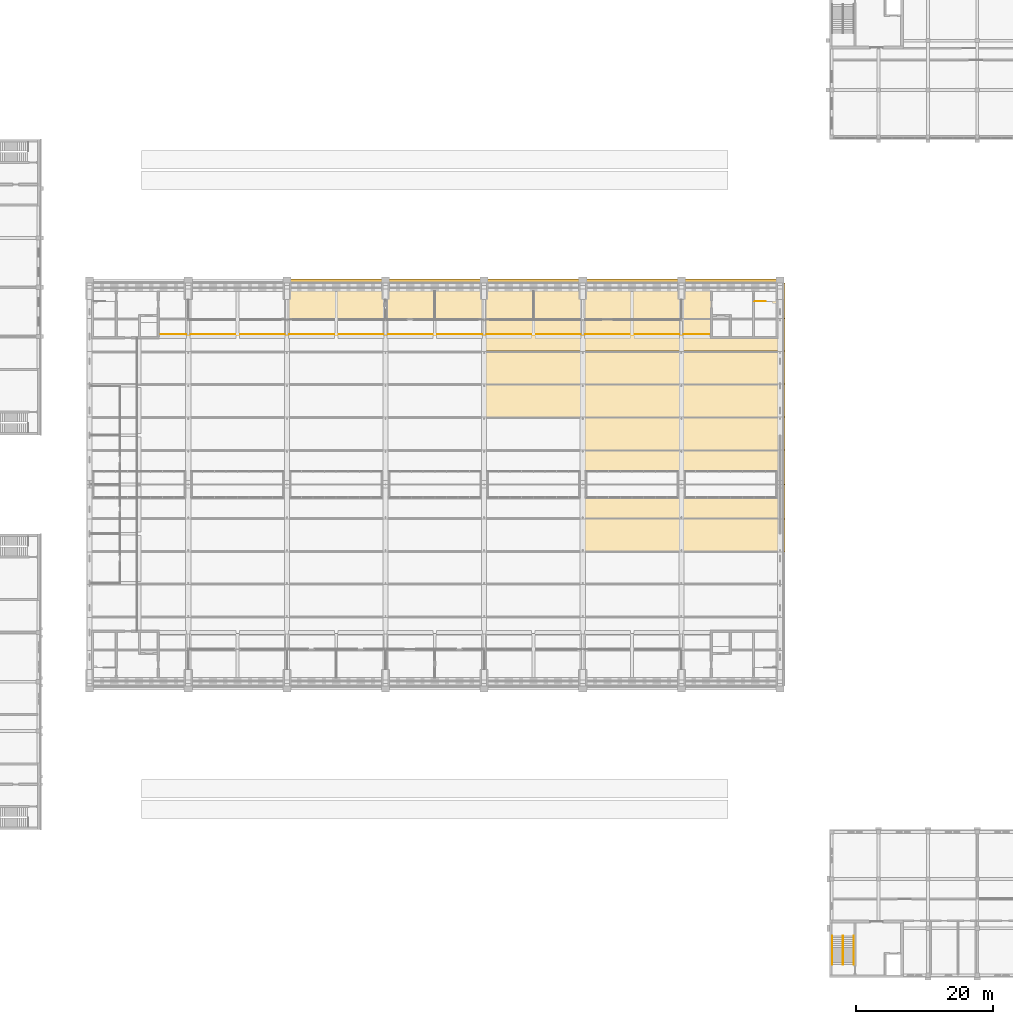
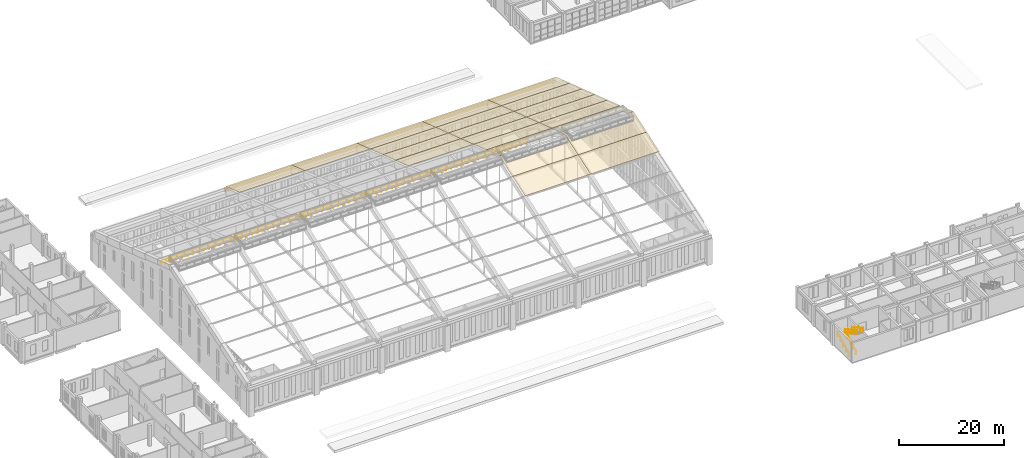
# One storey, part 148 of 149: 27 coverings, 6 railings.
"""IFC4 building model written with IfcOpenShell, lengths in metres."""

from ifc_helpers import new_model, si_unit, direction, frame, frame_2d, origin, origin_2d, place, context, subcontext, project, spatial, polyline, rectangle, circle, outline, extrude, material, layer, layer_set, type_object, element, save


model = new_model("IFC4")

# Units and contexts
model_context = context("Model", 3, precision=1e-05, world=origin(), true_north=direction((0.0, 1.0)))
body_context = subcontext(model_context, "Body", "Model", "MODEL_VIEW")
ifc_project = project(units=[si_unit("LENGTHUNIT", "METRE"), si_unit("AREAUNIT", "SQUARE_METRE"), si_unit("VOLUMEUNIT", "CUBIC_METRE"), si_unit("PLANEANGLEUNIT", "RADIAN"), si_unit("MASSUNIT", "GRAM", prefix="KILO")], contexts=[model_context])

# Site, building, storey
site_placement = place(None, origin())
site = spatial("IfcSite", under=ifc_project, at=site_placement, CompositionType="ELEMENT")
building_placement = place(site_placement, origin())
building = spatial("IfcBuilding", under=site, at=building_placement, Name="Alderwick Market Hall", CompositionType="ELEMENT")
storey_placement = place(building_placement, frame((0.0, 0.0, 9.60009765625)))
storey = spatial("IfcBuildingStorey", under=building, at=storey_placement, Name="L01", CompositionType="ELEMENT", Elevation=9.60009765625)

# Railings
ifc_material_1 = material(Name="Steel ASTM A500 Grade C", Category="steel")
railing_type_1 = type_object("IfcRailingType", Name="C Stair Handrail 900", PredefinedType="HANDRAIL", material=ifc_material_1)
for number, where, name in (
    (1, (158.820068359375, 9.10009765625, 0.14990234375), "C.rail.L01.A.1"),
    (2, (160.3798828125, 9.10009765625, 0.14990234375), "C.rail.L01.A.2"),
):
    element("IfcRailing", number, at=place(storey_placement, frame(where)), inside=storey, type_object=railing_type_1, Name=name, PredefinedType="HANDRAIL", context=body_context, shape_type="SweptSolid", body=[
        extrude(circle(Radius=0.02392578125, at=origin_2d()), frame((0.0, 0.0, 0.8759765625), z_axis=(0.0, 0.881477684796, 0.472225678258), x_axis=(-1.0, 0.0, 0.0)), (0.0, 0.0, 1.0), 4.7646484375),
        extrude(circle(Radius=0.02099609375, at=origin_2d()), origin(), (0.0, 0.0, 1.0), 0.851806640625),
        extrude(circle(Radius=0.02099609375, at=origin_2d()), frame((0.0, 1.050048828125, 0.5625)), (0.0, 0.0, 1.0), 0.851806640625),
        extrude(circle(Radius=0.02099609375, at=origin_2d()), frame((0.0, 2.10009765625, 1.125)), (0.0, 0.0, 1.0), 0.851806640625),
        extrude(circle(Radius=0.02099609375, at=origin_2d()), frame((0.0, 3.14990234375, 1.6875)), (0.0, 0.0, 1.0), 0.851806640625),
        extrude(circle(Radius=0.02099609375, at=origin_2d()), frame((0.0, 4.199951171875, 2.25)), (0.0, 0.0, 1.0), 0.851806640625),
    ])
for number, where, name in (
    (3, (160.419921875, 13.300048828125, 2.5498046875), "C.rail.L01.A.3"),
    (4, (161.97998046875, 13.300048828125, 2.5498046875), "C.rail.L01.A.4"),
):
    element("IfcRailing", number, at=place(storey_placement, frame(where)), inside=storey, type_object=railing_type_1, Name=name, PredefinedType="HANDRAIL", context=body_context, shape_type="SweptSolid", body=[
        extrude(circle(Radius=0.02392578125, at=origin_2d()), frame((0.0, 0.0, 0.8759765625), z_axis=(0.0, -0.881477684796, 0.472225678258), x_axis=(1.0, 0.0, 0.0)), (0.0, 0.0, 1.0), 4.7646484375),
        extrude(circle(Radius=0.02099609375, at=origin_2d()), origin(), (0.0, 0.0, 1.0), 0.851806640625),
        extrude(circle(Radius=0.02099609375, at=origin_2d()), frame((0.0, -1.050048828125, 0.5625)), (0.0, 0.0, 1.0), 0.851806640625),
        extrude(circle(Radius=0.02099609375, at=origin_2d()), frame((0.0, -2.10009765625, 1.125)), (0.0, 0.0, 1.0), 0.851806640625),
        extrude(circle(Radius=0.02099609375, at=origin_2d()), frame((0.0, -3.14990234375, 1.6875)), (0.0, 0.0, 1.0), 0.851806640625),
        extrude(circle(Radius=0.02099609375, at=origin_2d()), frame((0.0, -4.199951171875, 2.25)), (0.0, 0.0, 1.0), 0.851806640625),
    ])

# Coverings
ifc_material_2 = material(Name="Cast stone 5000 psi (f'c 35 MPa), ASTM C1364", Category="masonry")
ifc_layer_1 = layer(ifc_material_2, 0.60009765625)
ifc_layer_set_1 = layer_set([ifc_layer_1], Name="Cast stone 5000 psi (f'c 35 MPa), ASTM C1364")
covering_type_1 = type_object("IfcCoveringType", Name="H Cornice 600", PredefinedType="CLADDING", material=ifc_layer_set_1)
covering_1_placement = place(storey_placement, frame((79.199951171875, 108.89990234375, 6.0), z_axis=(0.0, 0.0, 1.0), x_axis=(1.0, 0.0, 0.0)))
element("IfcCovering", 5, at=covering_1_placement, inside=storey, type_object=covering_type_1, Name="Cornice N", PredefinedType="CLADDING", context=body_context, shape_type="SweptSolid", body=[
    extrude(rectangle(XDim=14.400146484375, YDim=0.60009765625, at=frame_2d((7.2001953125, 0.0))), origin(), (0.0, 0.0, 1.0), 0.599853515625),
])
for number, where, z_axis, x_axis, name in (
    (6, (93.60009765625, 108.89990234375, 6.0), (0.0, 0.0, 1.0), (1.0, 0.0, 0.0), "Cornice N"),
    (7, (108.0, 108.89990234375, 6.0), (0.0, 0.0, 1.0), (1.0, 0.0, 0.0), "Cornice N"),
):
    element("IfcCovering", number, at=place(storey_placement, frame(where, z_axis=z_axis, x_axis=x_axis)), inside=storey, type_object=covering_type_1, Name=name, PredefinedType="CLADDING", context=body_context, shape_type="SweptSolid", body=[
        extrude(rectangle(XDim=14.39990234375, YDim=0.60009765625, at=frame_2d((7.199951171875, 0.0))), origin(), (0.0, 0.0, 1.0), 0.599853515625),
    ])
covering_2_placement = place(storey_placement, frame((122.39990234375, 108.89990234375, 6.0), z_axis=(0.0, 0.0, 1.0), x_axis=(1.0, 0.0, 0.0)))
element("IfcCovering", 8, at=covering_2_placement, inside=storey, type_object=covering_type_1, Name="Cornice N", PredefinedType="CLADDING", context=body_context, shape_type="SweptSolid", body=[
    extrude(rectangle(XDim=14.400146484375, YDim=0.60009765625, at=frame_2d((7.2001953125, 0.0))), origin(), (0.0, 0.0, 1.0), 0.599853515625),
])
covering_3_placement = place(storey_placement, frame((136.800048828125, 108.89990234375, 6.0), z_axis=(0.0, 0.0, 1.0), x_axis=(1.0, 0.0, 0.0)))
element("IfcCovering", 9, at=covering_3_placement, inside=storey, type_object=covering_type_1, Name="Cornice N", PredefinedType="CLADDING", context=body_context, shape_type="SweptSolid", body=[
    extrude(rectangle(XDim=15.0, YDim=0.60009765625, at=frame_2d((7.5, 0.0))), origin(), (0.0, 0.0, 1.0), 0.599853515625),
])

# Railings
ifc_material_3 = material(Name="Steel, painted", Category="steel")
railing_type_2 = type_object("IfcRailingType", Name="H Guard 1100", PredefinedType="GUARDRAIL", material=ifc_material_3)
railing_1_placement = place(storey_placement, frame((147.449951171875, 105.949951171875, 0.0)))
element("IfcRailing", 10, at=railing_1_placement, inside=storey, type_object=railing_type_2, Name="L01 H-NE top well guard 1", PredefinedType="GUARDRAIL", context=body_context, shape_type="SweptSolid", body=[
    extrude(circle(Radius=0.02392578125, at=origin_2d()), frame((0.0, 0.0, 1.076171875), z_axis=(1.0, 0.0, 0.0), x_axis=(0.0, 1.0, 0.0)), (0.0, 0.0, 1.0), 1.650146484375),
    extrude(circle(Radius=0.02099609375, at=origin_2d()), origin(), (0.0, 0.0, 1.0), 1.052001953125),
    extrude(circle(Radius=0.02099609375, at=origin_2d()), frame((0.8251953125, 0.0, 0.0)), (0.0, 0.0, 1.0), 1.052001953125),
    extrude(circle(Radius=0.02099609375, at=origin_2d()), frame((1.650146484375, 0.0, 0.0)), (0.0, 0.0, 1.0), 1.052001953125),
])
railing_2_placement = place(storey_placement, frame((60.550048828125, 101.10009765625, 0.0)))
element("IfcRailing", 11, at=railing_2_placement, inside=storey, type_object=railing_type_2, Name="Gallery guard N L01", PredefinedType="GUARDRAIL", context=body_context, shape_type="SweptSolid", body=[
    extrude(circle(Radius=0.02392578125, at=origin_2d()), frame((0.0, 0.0, 1.076171875), z_axis=(1.0, 0.0, 0.0), x_axis=(0.0, 1.0, 0.0)), (0.0, 0.0, 1.0), 80.5),
    extrude(circle(Radius=0.02099609375, at=origin_2d()), origin(), (0.0, 0.0, 1.0), 1.052001953125),
    extrude(circle(Radius=0.02099609375, at=origin_2d()), frame((1.183837890625, 0.0, 0.0)), (0.0, 0.0, 1.0), 1.052001953125),
    extrude(circle(Radius=0.02099609375, at=origin_2d()), frame((2.36767578125, 0.0, 0.0)), (0.0, 0.0, 1.0), 1.052001953125),
    extrude(circle(Radius=0.02099609375, at=origin_2d()), frame((3.551513671875, 0.0, 0.0)), (0.0, 0.0, 1.0), 1.052001953125),
    extrude(circle(Radius=0.02099609375, at=origin_2d()), frame((4.7353515625, 0.0, 0.0)), (0.0, 0.0, 1.0), 1.052001953125),
    extrude(circle(Radius=0.02099609375, at=origin_2d()), frame((5.919189453125, 0.0, 0.0)), (0.0, 0.0, 1.0), 1.052001953125),
    extrude(circle(Radius=0.02099609375, at=origin_2d()), frame((7.10302734375, 0.0, 0.0)), (0.0, 0.0, 1.0), 1.052001953125),
    extrude(circle(Radius=0.02099609375, at=origin_2d()), frame((8.286865234375, 0.0, 0.0)), (0.0, 0.0, 1.0), 1.052001953125),
    extrude(circle(Radius=0.02099609375, at=origin_2d()), frame((9.470703125, 0.0, 0.0)), (0.0, 0.0, 1.0), 1.052001953125),
    extrude(circle(Radius=0.02099609375, at=origin_2d()), frame((10.654296875, 0.0, 0.0)), (0.0, 0.0, 1.0), 1.052001953125),
    extrude(circle(Radius=0.02099609375, at=origin_2d()), frame((11.838134765625, 0.0, 0.0)), (0.0, 0.0, 1.0), 1.052001953125),
    extrude(circle(Radius=0.02099609375, at=origin_2d()), frame((13.02197265625, 0.0, 0.0)), (0.0, 0.0, 1.0), 1.052001953125),
    extrude(circle(Radius=0.02099609375, at=origin_2d()), frame((14.205810546875, 0.0, 0.0)), (0.0, 0.0, 1.0), 1.052001953125),
    extrude(circle(Radius=0.02099609375, at=origin_2d()), frame((15.3896484375, 0.0, 0.0)), (0.0, 0.0, 1.0), 1.052001953125),
    extrude(circle(Radius=0.02099609375, at=origin_2d()), frame((16.573486328125, 0.0, 0.0)), (0.0, 0.0, 1.0), 1.052001953125),
    extrude(circle(Radius=0.02099609375, at=origin_2d()), frame((17.75732421875, 0.0, 0.0)), (0.0, 0.0, 1.0), 1.052001953125),
    extrude(circle(Radius=0.02099609375, at=origin_2d()), frame((18.941162109375, 0.0, 0.0)), (0.0, 0.0, 1.0), 1.052001953125),
    extrude(circle(Radius=0.02099609375, at=origin_2d()), frame((20.125, 0.0, 0.0)), (0.0, 0.0, 1.0), 1.052001953125),
    extrude(circle(Radius=0.02099609375, at=origin_2d()), frame((21.308837890625, 0.0, 0.0)), (0.0, 0.0, 1.0), 1.052001953125),
    extrude(circle(Radius=0.02099609375, at=origin_2d()), frame((22.49267578125, 0.0, 0.0)), (0.0, 0.0, 1.0), 1.052001953125),
    extrude(circle(Radius=0.02099609375, at=origin_2d()), frame((23.676513671875, 0.0, 0.0)), (0.0, 0.0, 1.0), 1.052001953125),
    extrude(circle(Radius=0.02099609375, at=origin_2d()), frame((24.8603515625, 0.0, 0.0)), (0.0, 0.0, 1.0), 1.052001953125),
    extrude(circle(Radius=0.02099609375, at=origin_2d()), frame((26.044189453125, 0.0, 0.0)), (0.0, 0.0, 1.0), 1.052001953125),
    extrude(circle(Radius=0.02099609375, at=origin_2d()), frame((27.22802734375, 0.0, 0.0)), (0.0, 0.0, 1.0), 1.052001953125),
    extrude(circle(Radius=0.02099609375, at=origin_2d()), frame((28.411865234375, 0.0, 0.0)), (0.0, 0.0, 1.0), 1.052001953125),
    extrude(circle(Radius=0.02099609375, at=origin_2d()), frame((29.595703125, 0.0, 0.0)), (0.0, 0.0, 1.0), 1.052001953125),
    extrude(circle(Radius=0.02099609375, at=origin_2d()), frame((30.779296875, 0.0, 0.0)), (0.0, 0.0, 1.0), 1.052001953125),
    extrude(circle(Radius=0.02099609375, at=origin_2d()), frame((31.963134765625, 0.0, 0.0)), (0.0, 0.0, 1.0), 1.052001953125),
    extrude(circle(Radius=0.02099609375, at=origin_2d()), frame((33.14697265625, 0.0, 0.0)), (0.0, 0.0, 1.0), 1.052001953125),
    extrude(circle(Radius=0.02099609375, at=origin_2d()), frame((34.330810546875, 0.0, 0.0)), (0.0, 0.0, 1.0), 1.052001953125),
    extrude(circle(Radius=0.02099609375, at=origin_2d()), frame((35.5146484375, 0.0, 0.0)), (0.0, 0.0, 1.0), 1.052001953125),
    extrude(circle(Radius=0.02099609375, at=origin_2d()), frame((36.698486328125, 0.0, 0.0)), (0.0, 0.0, 1.0), 1.052001953125),
    extrude(circle(Radius=0.02099609375, at=origin_2d()), frame((37.88232421875, 0.0, 0.0)), (0.0, 0.0, 1.0), 1.052001953125),
    extrude(circle(Radius=0.02099609375, at=origin_2d()), frame((39.066162109375, 0.0, 0.0)), (0.0, 0.0, 1.0), 1.052001953125),
    extrude(circle(Radius=0.02099609375, at=origin_2d()), frame((40.25, 0.0, 0.0)), (0.0, 0.0, 1.0), 1.052001953125),
    extrude(circle(Radius=0.02099609375, at=origin_2d()), frame((41.433837890625, 0.0, 0.0)), (0.0, 0.0, 1.0), 1.052001953125),
    extrude(circle(Radius=0.02099609375, at=origin_2d()), frame((42.61767578125, 0.0, 0.0)), (0.0, 0.0, 1.0), 1.052001953125),
    extrude(circle(Radius=0.02099609375, at=origin_2d()), frame((43.801513671875, 0.0, 0.0)), (0.0, 0.0, 1.0), 1.052001953125),
    extrude(circle(Radius=0.02099609375, at=origin_2d()), frame((44.9853515625, 0.0, 0.0)), (0.0, 0.0, 1.0), 1.052001953125),
    extrude(circle(Radius=0.02099609375, at=origin_2d()), frame((46.169189453125, 0.0, 0.0)), (0.0, 0.0, 1.0), 1.052001953125),
    extrude(circle(Radius=0.02099609375, at=origin_2d()), frame((47.35302734375, 0.0, 0.0)), (0.0, 0.0, 1.0), 1.052001953125),
    extrude(circle(Radius=0.02099609375, at=origin_2d()), frame((48.536865234375, 0.0, 0.0)), (0.0, 0.0, 1.0), 1.052001953125),
    extrude(circle(Radius=0.02099609375, at=origin_2d()), frame((49.720703125, 0.0, 0.0)), (0.0, 0.0, 1.0), 1.052001953125),
    extrude(circle(Radius=0.02099609375, at=origin_2d()), frame((50.904296875, 0.0, 0.0)), (0.0, 0.0, 1.0), 1.052001953125),
    extrude(circle(Radius=0.02099609375, at=origin_2d()), frame((52.088134765625, 0.0, 0.0)), (0.0, 0.0, 1.0), 1.052001953125),
    extrude(circle(Radius=0.02099609375, at=origin_2d()), frame((53.27197265625, 0.0, 0.0)), (0.0, 0.0, 1.0), 1.052001953125),
    extrude(circle(Radius=0.02099609375, at=origin_2d()), frame((54.455810546875, 0.0, 0.0)), (0.0, 0.0, 1.0), 1.052001953125),
    extrude(circle(Radius=0.02099609375, at=origin_2d()), frame((55.6396484375, 0.0, 0.0)), (0.0, 0.0, 1.0), 1.052001953125),
    extrude(circle(Radius=0.02099609375, at=origin_2d()), frame((56.823486328125, 0.0, 0.0)), (0.0, 0.0, 1.0), 1.052001953125),
    extrude(circle(Radius=0.02099609375, at=origin_2d()), frame((58.00732421875, 0.0, 0.0)), (0.0, 0.0, 1.0), 1.052001953125),
    extrude(circle(Radius=0.02099609375, at=origin_2d()), frame((59.191162109375, 0.0, 0.0)), (0.0, 0.0, 1.0), 1.052001953125),
    extrude(circle(Radius=0.02099609375, at=origin_2d()), frame((60.375, 0.0, 0.0)), (0.0, 0.0, 1.0), 1.052001953125),
    extrude(circle(Radius=0.02099609375, at=origin_2d()), frame((61.558837890625, 0.0, 0.0)), (0.0, 0.0, 1.0), 1.052001953125),
    extrude(circle(Radius=0.02099609375, at=origin_2d()), frame((62.74267578125, 0.0, 0.0)), (0.0, 0.0, 1.0), 1.052001953125),
    extrude(circle(Radius=0.02099609375, at=origin_2d()), frame((63.926513671875, 0.0, 0.0)), (0.0, 0.0, 1.0), 1.052001953125),
    extrude(circle(Radius=0.02099609375, at=origin_2d()), frame((65.1103515625, 0.0, 0.0)), (0.0, 0.0, 1.0), 1.052001953125),
    extrude(circle(Radius=0.02099609375, at=origin_2d()), frame((66.294189453125, 0.0, 0.0)), (0.0, 0.0, 1.0), 1.052001953125),
    extrude(circle(Radius=0.02099609375, at=origin_2d()), frame((67.47802734375, 0.0, 0.0)), (0.0, 0.0, 1.0), 1.052001953125),
    extrude(circle(Radius=0.02099609375, at=origin_2d()), frame((68.661865234375, 0.0, 0.0)), (0.0, 0.0, 1.0), 1.052001953125),
    extrude(circle(Radius=0.02099609375, at=origin_2d()), frame((69.845703125, 0.0, 0.0)), (0.0, 0.0, 1.0), 1.052001953125),
    extrude(circle(Radius=0.02099609375, at=origin_2d()), frame((71.029296875, 0.0, 0.0)), (0.0, 0.0, 1.0), 1.052001953125),
    extrude(circle(Radius=0.02099609375, at=origin_2d()), frame((72.213134765625, 0.0, 0.0)), (0.0, 0.0, 1.0), 1.052001953125),
    extrude(circle(Radius=0.02099609375, at=origin_2d()), frame((73.39697265625, 0.0, 0.0)), (0.0, 0.0, 1.0), 1.052001953125),
    extrude(circle(Radius=0.02099609375, at=origin_2d()), frame((74.580810546875, 0.0, 0.0)), (0.0, 0.0, 1.0), 1.052001953125),
    extrude(circle(Radius=0.02099609375, at=origin_2d()), frame((75.7646484375, 0.0, 0.0)), (0.0, 0.0, 1.0), 1.052001953125),
    extrude(circle(Radius=0.02099609375, at=origin_2d()), frame((76.948486328125, 0.0, 0.0)), (0.0, 0.0, 1.0), 1.052001953125),
    extrude(circle(Radius=0.02099609375, at=origin_2d()), frame((78.13232421875, 0.0, 0.0)), (0.0, 0.0, 1.0), 1.052001953125),
    extrude(circle(Radius=0.02099609375, at=origin_2d()), frame((79.316162109375, 0.0, 0.0)), (0.0, 0.0, 1.0), 1.052001953125),
    extrude(circle(Radius=0.02099609375, at=origin_2d()), frame((80.5, 0.0, 0.0)), (0.0, 0.0, 1.0), 1.052001953125),
])

# Coverings
ifc_material_4 = material(Name="Copper standing seam roofing")
ifc_layer_2 = layer(ifc_material_4, 0.00390625)
ifc_layer_set_2 = layer_set([ifc_layer_2], Name="Copper standing seam roofing")
covering_type_2 = type_object("IfcCoveringType", Name="R Copper Roofing 4 mm", PredefinedType="ROOFING", material=ifc_layer_set_2)
covering_4_placement = place(storey_placement, frame((79.199951171875, 103.463623046875, 8.9912109375), z_axis=(0.0, 0.316227766017, 0.948683298051), x_axis=(1.0, 0.0, 0.0)))
element("IfcCovering", 12, at=covering_4_placement, inside=storey, type_object=covering_type_2, Name="Copper roofing 3.12", PredefinedType="ROOFING", context=body_context, shape_type="SweptSolid", body=[
    extrude(outline(polyline([(0.0, 0.0), (14.400146484375, 0.0), (14.400146484375, 5.442113092413796), (0.0, 5.442113092413796), (0.0, 0.0)])), origin(), (0.0, 0.0, -1.0), 0.00390625),
])
covering_5_placement = place(storey_placement, frame((93.60009765625, 103.463623046875, 8.9912109375), z_axis=(0.0, 0.316227766017, 0.948683298051), x_axis=(1.0, 0.0, 0.0)))
element("IfcCovering", 13, at=covering_5_placement, inside=storey, type_object=covering_type_2, Name="Copper roofing 4.12", PredefinedType="ROOFING", context=body_context, shape_type="SweptSolid", body=[
    extrude(outline(polyline([(0.0, 0.0), (14.39990234375, 0.0), (14.39990234375, 5.442113092413796), (0.0, 5.442113092413796), (0.0, 0.0)])), origin(), (0.0, 0.0, -1.0), 0.00390625),
])
covering_6_placement = place(storey_placement, frame((108.0, 89.063720703125, 13.791015625), z_axis=(0.0, 0.316198814353, 0.948692948114), x_axis=(1.0, 0.0, 0.0)))
element("IfcCovering", 14, at=covering_6_placement, inside=storey, type_object=covering_type_2, Name="Copper roofing 5.9", PredefinedType="ROOFING", context=body_context, shape_type="SweptSolid", body=[
    extrude(outline(polyline([(0.0, 0.0), (14.39990234375, 0.0), (14.39990234375, 5.059644258625488), (0.0, 5.059644258625488), (0.0, 0.0)])), origin(), (0.0, 0.0, -1.0), 0.00390625),
])
covering_7_placement = place(storey_placement, frame((108.0, 93.86376953125, 12.191162109375), z_axis=(0.0, 0.316242241517, 0.948678472761), x_axis=(1.0, 0.0, 0.0)))
element("IfcCovering", 15, at=covering_7_placement, inside=storey, type_object=covering_type_2, Name="Copper roofing 5.10", PredefinedType="ROOFING", context=body_context, shape_type="SweptSolid", body=[
    extrude(outline(polyline([(0.0, 0.0), (14.39990234375, 0.0), (14.39990234375, 5.059721460902856), (0.0, 5.059721460902856), (0.0, 0.0)])), origin(), (0.0, 0.0, -1.0), 0.00390625),
])
covering_8_placement = place(storey_placement, frame((108.0, 98.663818359375, 10.591064453125), z_axis=(0.0, 0.316213289559, 0.948688123414), x_axis=(1.0, 0.0, 0.0)))
element("IfcCovering", 16, at=covering_8_placement, inside=storey, type_object=covering_type_2, Name="Copper roofing 5.11", PredefinedType="ROOFING", context=body_context, shape_type="SweptSolid", body=[
    extrude(outline(polyline([(0.0, 0.0), (14.39990234375, 0.0), (14.39990234375, 5.059412644725141), (0.0, 5.059412644725141), (0.0, 0.0)])), origin(), (0.0, 0.0, -1.0), 0.00390625),
])
covering_9_placement = place(storey_placement, frame((108.0, 103.463623046875, 8.9912109375), z_axis=(0.0, 0.316227766017, 0.948683298051), x_axis=(1.0, 0.0, 0.0)))
element("IfcCovering", 17, at=covering_9_placement, inside=storey, type_object=covering_type_2, Name="Copper roofing 5.12", PredefinedType="ROOFING", context=body_context, shape_type="SweptSolid", body=[
    extrude(outline(polyline([(0.0, 0.0), (14.39990234375, 0.0), (14.39990234375, 5.442113092413796), (0.0, 5.442113092413796), (0.0, 0.0)])), origin(), (0.0, 0.0, -1.0), 0.00390625),
])
covering_10_placement = place(storey_placement, frame((122.39990234375, 69.336181640625, 13.791015625), z_axis=(0.0, -0.316242241517, 0.948678472761), x_axis=(1.0, 0.0, 0.0)))
element("IfcCovering", 18, at=covering_10_placement, inside=storey, type_object=covering_type_2, Name="Copper roofing 6.5", PredefinedType="ROOFING", context=body_context, shape_type="SweptSolid", body=[
    extrude(outline(polyline([(0.0, 0.0), (14.400146484375, 0.0), (14.400146484375, 5.059721460902856), (0.0, 5.059721460902856), (0.0, 0.0)])), origin(), (0.0, 0.0, -1.0), 0.00390625),
])
covering_11_placement = place(storey_placement, frame((122.39990234375, 74.13623046875, 15.39111328125), z_axis=(0.0, -0.316229474567, 0.948682728532), x_axis=(1.0, 0.0, 0.0)))
element("IfcCovering", 19, at=covering_11_placement, inside=storey, type_object=covering_type_2, Name="Copper roofing 6.6", PredefinedType="ROOFING", context=body_context, shape_type="SweptSolid", body=[
    extrude(outline(polyline([(0.0, 0.0), (14.400146484375, 0.0), (14.400146484375, 5.337656020419967), (13.800048828125, 5.337656020419967), (13.800048828125, 3.4124187641410084), (0.60009765625, 3.4124187641410084), (0.60009765625, 5.337656020419967), (0.0, 5.337656020419967), (0.0, 0.0)])), origin(), (0.0, 0.0, -1.0), 0.00390625),
])
covering_12_placement = place(storey_placement, frame((122.39990234375, 79.199951171875, 17.0791015625), z_axis=(0.0, 0.316248266645, 0.948676464262), x_axis=(1.0, 0.0, 0.0)))
element("IfcCovering", 20, at=covering_12_placement, inside=storey, type_object=covering_type_2, Name="Copper roofing 6.7", PredefinedType="ROOFING", context=body_context, shape_type="SweptSolid", body=[
    extrude(outline(polyline([(0.0, 0.0), (0.60009765625, 0.0), (0.60009765625, 1.9254688678267775), (13.800048828125, 1.9254688678267775), (13.800048828125, 0.0), (14.400146484375, 0.0), (14.400146484375, 5.337656020711652), (0.0, 5.337656020711652), (0.0, 0.0)])), origin(), (0.0, 0.0, -1.0), 0.00390625),
])
covering_13_placement = place(storey_placement, frame((122.39990234375, 84.263671875, 15.39111328125), z_axis=(0.0, 0.316242241517, 0.948678472761), x_axis=(1.0, 0.0, 0.0)))
element("IfcCovering", 21, at=covering_13_placement, inside=storey, type_object=covering_type_2, Name="Copper roofing 6.8", PredefinedType="ROOFING", context=body_context, shape_type="SweptSolid", body=[
    extrude(outline(polyline([(0.0, 0.0), (14.400146484375, 0.0), (14.400146484375, 5.059721460902856), (0.0, 5.059721460902856), (0.0, 0.0)])), origin(), (0.0, 0.0, -1.0), 0.00390625),
])
covering_14_placement = place(storey_placement, frame((122.39990234375, 89.063720703125, 13.791015625), z_axis=(0.0, 0.316198814353, 0.948692948114), x_axis=(1.0, 0.0, 0.0)))
element("IfcCovering", 22, at=covering_14_placement, inside=storey, type_object=covering_type_2, Name="Copper roofing 6.9", PredefinedType="ROOFING", context=body_context, shape_type="SweptSolid", body=[
    extrude(outline(polyline([(0.0, 0.0), (14.400146484375, 0.0), (14.400146484375, 5.059644258625487), (0.0, 5.059644258625487), (0.0, 0.0)])), origin(), (0.0, 0.0, -1.0), 0.00390625),
])
covering_15_placement = place(storey_placement, frame((122.39990234375, 93.86376953125, 12.191162109375), z_axis=(0.0, 0.316242241517, 0.948678472761), x_axis=(1.0, 0.0, 0.0)))
element("IfcCovering", 23, at=covering_15_placement, inside=storey, type_object=covering_type_2, Name="Copper roofing 6.10", PredefinedType="ROOFING", context=body_context, shape_type="SweptSolid", body=[
    extrude(outline(polyline([(0.0, 0.0), (14.400146484375, 0.0), (14.400146484375, 5.059721460902856), (0.0, 5.059721460902856), (0.0, 0.0)])), origin(), (0.0, 0.0, -1.0), 0.00390625),
])
covering_16_placement = place(storey_placement, frame((122.39990234375, 98.663818359375, 10.591064453125), z_axis=(0.0, 0.316213289559, 0.948688123414), x_axis=(1.0, 0.0, 0.0)))
element("IfcCovering", 24, at=covering_16_placement, inside=storey, type_object=covering_type_2, Name="Copper roofing 6.11", PredefinedType="ROOFING", context=body_context, shape_type="SweptSolid", body=[
    extrude(outline(polyline([(0.0, 0.0), (14.400146484375, 0.0), (14.400146484375, 5.059412644725141), (0.0, 5.059412644725141), (0.0, 0.0)])), origin(), (0.0, 0.0, -1.0), 0.00390625),
])
covering_17_placement = place(storey_placement, frame((122.39990234375, 103.463623046875, 8.9912109375), z_axis=(0.0, 0.316227766017, 0.948683298051), x_axis=(1.0, 0.0, 0.0)))
element("IfcCovering", 25, at=covering_17_placement, inside=storey, type_object=covering_type_2, Name="Copper roofing 6.12", PredefinedType="ROOFING", context=body_context, shape_type="SweptSolid", body=[
    extrude(outline(polyline([(0.0, 0.0), (14.400146484375, 0.0), (14.400146484375, 5.442113092413796), (0.0, 5.442113092413796), (0.0, 0.0)])), origin(), (0.0, 0.0, -1.0), 0.00390625),
])
covering_18_placement = place(storey_placement, frame((136.800048828125, 69.336181640625, 13.791015625), z_axis=(0.0, -0.316242241517, 0.948678472761), x_axis=(1.0, 0.0, 0.0)))
element("IfcCovering", 26, at=covering_18_placement, inside=storey, type_object=covering_type_2, Name="Copper roofing 7.5", PredefinedType="ROOFING", context=body_context, shape_type="SweptSolid", body=[
    extrude(outline(polyline([(0.0, 0.0), (15.099853515625, 0.0), (15.099853515625, 5.059721460902855), (0.0, 5.059721460902855), (0.0, 0.0)])), origin(), (0.0, 0.0, -1.0), 0.00390625),
])
covering_19_placement = place(storey_placement, frame((136.800048828125, 74.13623046875, 15.39111328125), z_axis=(0.0, -0.316230287296, 0.94868245762), x_axis=(1.0, 0.0, 0.0)))
element("IfcCovering", 27, at=covering_19_placement, inside=storey, type_object=covering_type_2, Name="Copper roofing 7.6", PredefinedType="ROOFING", context=body_context, shape_type="SweptSolid", body=[
    extrude(outline(polyline([(0.0, 0.0), (15.099853515625, 0.0), (15.099853515625, 5.337656020475913), (13.800048828125, 5.337656020475913), (13.800048828125, 3.4124187641344914), (0.599853515625, 3.4124187641344914), (0.599853515625, 5.337656020475913), (0.0, 5.337656020475913), (0.0, 0.0)])), origin(), (0.0, 0.0, -1.0), 0.00390625),
])
covering_20_placement = place(storey_placement, frame((136.800048828125, 79.199951171875, 17.0791015625), z_axis=(0.0, 0.31624780801, 0.948676617151), x_axis=(1.0, 0.0, 0.0)))
element("IfcCovering", 28, at=covering_20_placement, inside=storey, type_object=covering_type_2, Name="Copper roofing 7.7", PredefinedType="ROOFING", context=body_context, shape_type="SweptSolid", body=[
    extrude(outline(polyline([(0.0, 0.0), (0.599853515625, 0.0), (0.599853515625, 1.9254688678466683), (13.800048828125, 1.9254688678466683), (13.800048828125, 0.0), (15.099853515625, 0.0), (15.099853515625, 5.337656020729468), (0.0, 5.337656020729468), (0.0, 0.0)])), origin(), (0.0, 0.0, -1.0), 0.00390625),
])
covering_21_placement = place(storey_placement, frame((136.800048828125, 84.263671875, 15.39111328125), z_axis=(0.0, 0.316242241517, 0.948678472761), x_axis=(1.0, 0.0, 0.0)))
element("IfcCovering", 29, at=covering_21_placement, inside=storey, type_object=covering_type_2, Name="Copper roofing 7.8", PredefinedType="ROOFING", context=body_context, shape_type="SweptSolid", body=[
    extrude(outline(polyline([(0.0, 0.0), (15.099853515625, 0.0), (15.099853515625, 5.059721460902855), (0.0, 5.059721460902855), (0.0, 0.0)])), origin(), (0.0, 0.0, -1.0), 0.00390625),
])
covering_22_placement = place(storey_placement, frame((136.800048828125, 89.063720703125, 13.791015625), z_axis=(0.0, 0.316198814353, 0.948692948114), x_axis=(1.0, 0.0, 0.0)))
element("IfcCovering", 30, at=covering_22_placement, inside=storey, type_object=covering_type_2, Name="Copper roofing 7.9", PredefinedType="ROOFING", context=body_context, shape_type="SweptSolid", body=[
    extrude(outline(polyline([(0.0, 0.0), (15.099853515625, 0.0), (15.099853515625, 5.059644258625488), (0.0, 5.059644258625488), (0.0, 0.0)])), origin(), (0.0, 0.0, -1.0), 0.00390625),
])
covering_23_placement = place(storey_placement, frame((136.800048828125, 93.86376953125, 12.191162109375), z_axis=(0.0, 0.316242241517, 0.948678472761), x_axis=(1.0, 0.0, 0.0)))
element("IfcCovering", 31, at=covering_23_placement, inside=storey, type_object=covering_type_2, Name="Copper roofing 7.10", PredefinedType="ROOFING", context=body_context, shape_type="SweptSolid", body=[
    extrude(outline(polyline([(0.0, 0.0), (15.099853515625, 0.0), (15.099853515625, 5.059721460902855), (0.0, 5.059721460902855), (0.0, 0.0)])), origin(), (0.0, 0.0, -1.0), 0.00390625),
])
covering_24_placement = place(storey_placement, frame((136.800048828125, 98.663818359375, 10.591064453125), z_axis=(0.0, 0.316213289559, 0.948688123414), x_axis=(1.0, 0.0, 0.0)))
element("IfcCovering", 32, at=covering_24_placement, inside=storey, type_object=covering_type_2, Name="Copper roofing 7.11", PredefinedType="ROOFING", context=body_context, shape_type="SweptSolid", body=[
    extrude(outline(polyline([(0.0, 0.0), (15.099853515625, 0.0), (15.099853515625, 5.059412644725141), (0.0, 5.059412644725141), (0.0, 0.0)])), origin(), (0.0, 0.0, -1.0), 0.00390625),
])
covering_25_placement = place(storey_placement, frame((136.800048828125, 103.463623046875, 8.9912109375), z_axis=(0.0, 0.316227766017, 0.948683298051), x_axis=(1.0, 0.0, 0.0)))
element("IfcCovering", 33, at=covering_25_placement, inside=storey, type_object=covering_type_2, Name="Copper roofing 7.12", PredefinedType="ROOFING", context=body_context, shape_type="SweptSolid", body=[
    extrude(outline(polyline([(0.0, 0.0), (15.099853515625, 0.0), (15.099853515625, 5.442113092413796), (0.0, 5.442113092413796), (0.0, 0.0)])), origin(), (0.0, 0.0, -1.0), 0.00390625),
])

save(model, "model.ifc")
